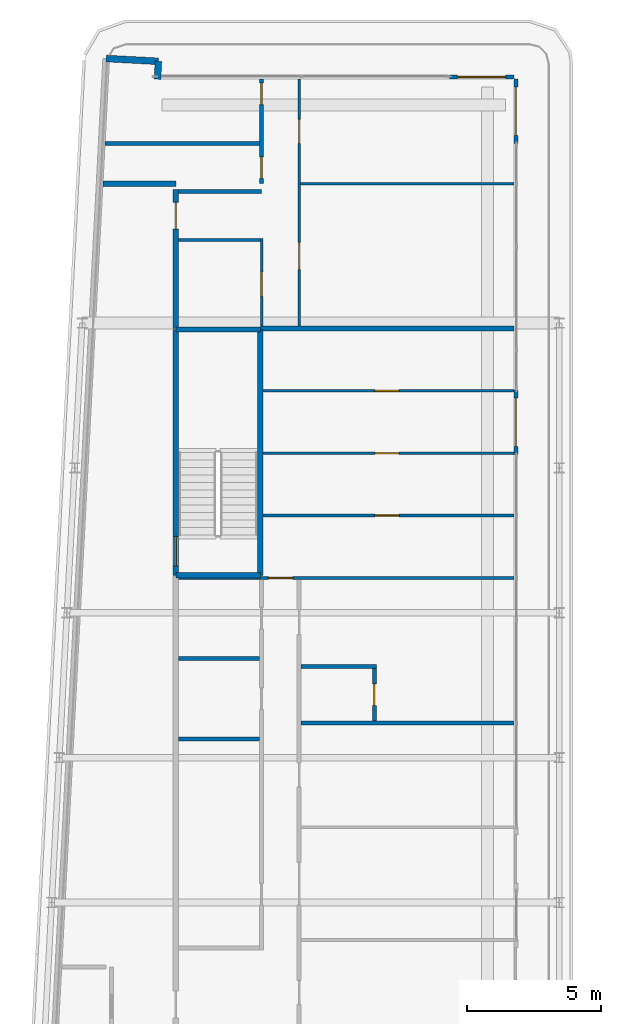
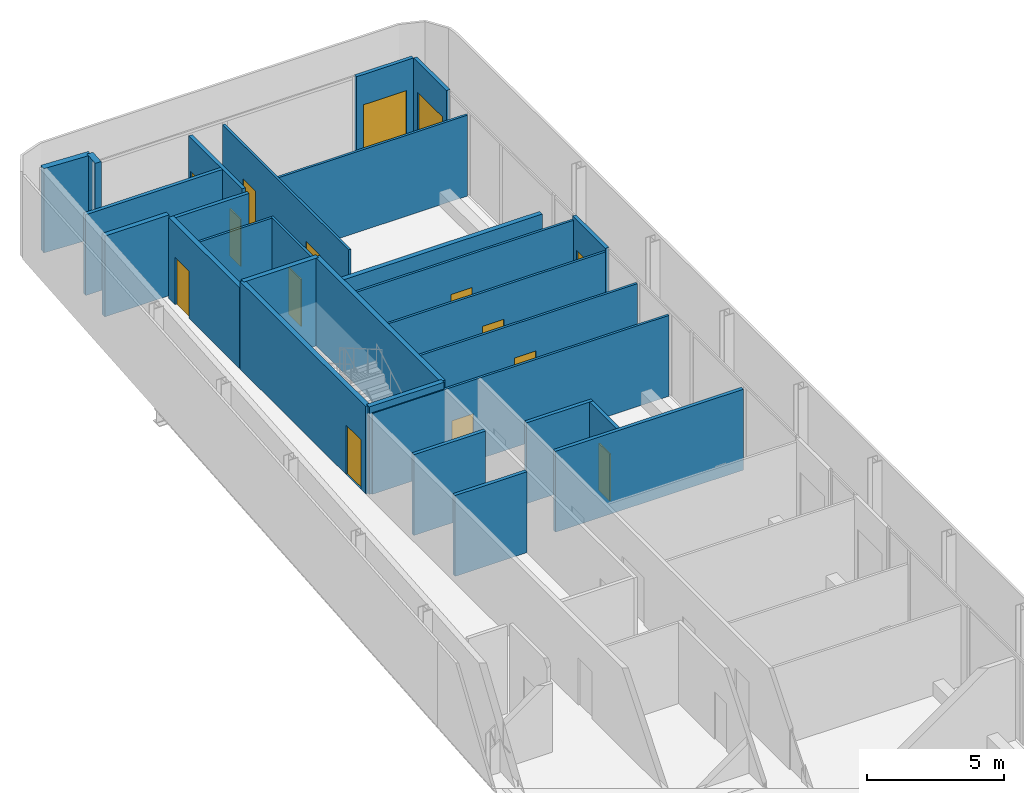
# One storey, part 14 of 21: 28 walls, 15 doors, 15 openings.
"""IFC4 building model written with IfcOpenShell, lengths in metres."""

from ifc_helpers import new_model, si_unit, direction, frame, frame_2d, origin, place, context, subcontext, project, spatial, rectangle, extrude, source, transform, mapped, material, layer, layer_set, type_object, element, fill, save


model = new_model("IFC4")

# Units and contexts
model_context = context("Model", 3, precision=1e-05, world=origin(), true_north=direction((0.0, 1.0)))
body_context = subcontext(model_context, "Body", "Model", "MODEL_VIEW")
ifc_project = project(units=[si_unit("LENGTHUNIT", "METRE"), si_unit("AREAUNIT", "SQUARE_METRE"), si_unit("VOLUMEUNIT", "CUBIC_METRE"), si_unit("PLANEANGLEUNIT", "RADIAN"), si_unit("MASSUNIT", "GRAM", prefix="KILO")], contexts=[model_context])

# Site, building, storey
site_placement = place(None, origin())
site = spatial("IfcSite", under=ifc_project, at=site_placement, CompositionType="ELEMENT")
building_placement = place(site_placement, origin())
building = spatial("IfcBuilding", under=site, at=building_placement, Name="Kheshtan School and Residences Tower", CompositionType="ELEMENT")
storey_placement = place(building_placement, frame((0.0, 0.0, 321.5)))
storey = spatial("IfcBuildingStorey", under=building, at=storey_placement, Name="L76", CompositionType="ELEMENT", Elevation=321.5)

# Wall
ifc_material_1 = material(Name="Gypsum board on steel studs with fire boards", Category="steel")
ifc_layer_1 = layer(ifc_material_1, 0.199951171875)
ifc_layer_set_1 = layer_set([ifc_layer_1], Name="Corridor wall 200")
wall_type_1 = type_object("IfcWallType", Name="Corridor wall 200", PredefinedType="PARTITIONING", material=ifc_layer_set_1)
wall_1_placement = place(storey_placement, frame((30.584716796875, 94.0, 0.0), z_axis=(0.0, 0.0, 1.0), x_axis=(1.0, 0.0, 0.0)))
element("IfcWall", 1, at=wall_1_placement, inside=storey, type_object=wall_type_1, Name="Partition L76-002", PredefinedType="PARTITIONING", context=body_context, shape_type="SweptSolid", body=[
    extrude(rectangle(XDim=2.71533203125, YDim=0.199951171875, at=frame_2d((1.357666015625, 0.0))), origin(), (0.0, 0.0, 1.0), 3.60009765625),
])

# Wall, opening, door
wall_2_placement = place(storey_placement, frame((33.300048828125, 88.60009765625, 0.0), z_axis=(0.0, 0.0, 1.0), x_axis=(0.0, 1.0, 0.0)))
wall_2 = element("IfcWall", 2, at=wall_2_placement, inside=storey, type_object=wall_type_1, Name="Partition L76-004", PredefinedType="PARTITIONING", context=body_context, shape_type="SweptSolid", body=[
    extrude(rectangle(XDim=5.1748046875, YDim=0.199951171875, at=frame_2d((2.58740234375, 0.0))), origin(), (0.0, 0.0, 1.0), 3.60009765625),
])
opening_1_placement = place(wall_2_placement, frame((3.699951171875, 0.0, 0.0)))
opening_1 = element("IfcOpeningElement", 3, at=opening_1_placement, cuts=wall_2, Name="Opening D75-028", PredefinedType="OPENING", context=body_context, shape_type="SweptSolid", body=[
    extrude(rectangle(XDim=1.0, YDim=2.10009765625, at=frame_2d((0.5, 1.050048828125))), frame((0.0, 0.10986328125, 0.0), z_axis=(0.0, -1.0, 0.0), x_axis=(1.0, 0.0, 0.0)), (0.0, 0.0, 1.0), 0.219970703125),
])
ifc_material_2 = material(Name="Steel-framed fire-resisting door leaf", Category="steel")
door_type_1 = type_object("IfcDoorType", Name="Fire door FD30S 1000 x 2100", OperationType="SINGLE_SWING_LEFT", PredefinedType="DOOR", material=ifc_material_2)
shared_shape_1 = source(origin(), body_context, "Body", "SweptSolid", [
    extrude(rectangle(XDim=1.0, YDim=2.10009765625, at=frame_2d((0.5, 1.050048828125))), frame((0.0, 0.02490234375, 0.0), z_axis=(0.0, -1.0, 0.0), x_axis=(1.0, 0.0, 0.0)), (0.0, 0.0, 1.0), 0.050048828125),
])
door_1_placement = place(opening_1_placement, origin())
door_1 = element("IfcDoor", 4, at=door_1_placement, inside=storey, type_object=door_type_1, Name="Door D75-028", OperationType="SINGLE_SWING_RIGHT", OverallHeight=2.10009765625, OverallWidth=1.0, PredefinedType="DOOR", context=body_context, shape_type="MappedRepresentation", body=[
    mapped(shared_shape_1, transform((0.0, 0.0, 0.0), x_axis=(1.0, 0.0, 0.0), y_axis=(0.0, 1.0, 0.0), z_axis=(0.0, 0.0, 1.0), scale=1.0)),
])
fill(opening_1, door_1)

# Walls
ifc_material_3 = material(Name="Concrete C40/50 with ceramic cladding and mineral wool insulation", Category="concrete")
ifc_layer_2 = layer(ifc_material_3, 0.25)
ifc_layer_set_2 = layer_set([ifc_layer_2], Name="External wall 250 ceramic clad")
wall_type_2 = type_object("IfcWallType", Name="External wall 250 ceramic clad", PredefinedType="SOLIDWALL", material=ifc_layer_set_2)
wall_3_placement = place(storey_placement, frame((30.705078125, 98.6640625, 0.0), z_axis=(0.0, 0.0, 1.0), x_axis=(0.998577785791, -0.053314216913, 0.0)))
element("IfcWall", 5, at=wall_3_placement, inside=storey, type_object=wall_type_2, Name="External wall L76 5", PredefinedType="SOLIDWALL", context=body_context, shape_type="SweptSolid", body=[
    extrude(rectangle(XDim=1.95068359375, YDim=0.25, at=frame_2d((0.975341796875, 0.0))), origin(), (0.0, 0.0, 1.0), 3.75),
])
wall_4_placement = place(storey_placement, frame((32.653076171875, 98.56005859375, 0.0), z_axis=(0.0, 0.0, 1.0), x_axis=(-0.054093451632, -0.998535877418, 0.0)))
element("IfcWall", 6, at=wall_4_placement, inside=storey, type_object=wall_type_2, Name="External wall L76 6", PredefinedType="SOLIDWALL", context=body_context, shape_type="SweptSolid", body=[
    extrude(rectangle(XDim=0.66796875, YDim=0.25, at=frame_2d((0.333984375, 0.0))), origin(), (0.0, 0.0, 1.0), 3.75),
])

# Wall, opening, door
ifc_material_4 = material(Name="Aluminium frame wall with insulated infill", Category="aluminium")
ifc_layer_3 = layer(ifc_material_4, 0.14990234375)
ifc_layer_set_3 = layer_set([ifc_layer_3], Name="Glazing frame wall 150")
wall_type_3 = type_object("IfcWallType", Name="Glazing frame wall 150", PredefinedType="SOLIDWALL", material=ifc_layer_set_3)
wall_5_placement = place(storey_placement, frame((43.5, 97.97509765625, 0.0), z_axis=(0.0, 0.0, 1.0), x_axis=(1.0, 0.0, 0.0)))
wall_5 = element("IfcWall", 7, at=wall_5_placement, inside=storey, type_object=wall_type_3, Name="Balcony door wall L76 7.1", PredefinedType="SOLIDWALL", context=body_context, shape_type="SweptSolid", body=[
    extrude(rectangle(XDim=2.39990234375, YDim=0.14990234375, at=frame_2d((1.199951171875, 0.0))), origin(), (0.0, 0.0, 1.0), 3.75),
])
opening_2_placement = place(wall_5_placement, frame((0.300048828125, 0.0, 0.0)))
opening_2 = element("IfcOpeningElement", 8, at=opening_2_placement, cuts=wall_5, Name="Opening BD", PredefinedType="OPENING", context=body_context, shape_type="SweptSolid", body=[
    extrude(rectangle(XDim=1.800048828125, YDim=2.39990234375, at=frame_2d((0.89990234375, 1.199951171875))), frame((0.0, 0.0849609375, 0.0), z_axis=(0.0, -1.0, 0.0), x_axis=(1.0, 0.0, 0.0)), (0.0, 0.0, 1.0), 0.169921875),
])
ifc_material_5 = material(Name="Clear low-e glass in thermally broken aluminium frame", Category="aluminium")
door_type_2 = type_object("IfcDoorType", Name="Balcony sliding door", OperationType="SLIDING_TO_LEFT", PredefinedType="DOOR", material=ifc_material_5)
shared_shape_2 = source(origin(), body_context, "Body", "SweptSolid", [
    extrude(rectangle(XDim=1.800048828125, YDim=2.39990234375, at=frame_2d((0.89990234375, 1.199951171875))), frame((0.0, 0.02490234375, 0.0), z_axis=(0.0, -1.0, 0.0), x_axis=(1.0, 0.0, 0.0)), (0.0, 0.0, 1.0), 0.050048828125),
])
door_2_placement = place(opening_2_placement, origin())
door_2 = element("IfcDoor", 9, at=door_2_placement, inside=storey, type_object=door_type_2, Name="Balcony door L76 7.1", OperationType="SLIDING_TO_LEFT", OverallHeight=2.39990234375, OverallWidth=1.800048828125, PredefinedType="DOOR", context=body_context, shape_type="MappedRepresentation", body=[
    mapped(shared_shape_2, transform((0.0, 0.0, 0.0), x_axis=(1.0, 0.0, 0.0), y_axis=(0.0, 1.0, 0.0), z_axis=(0.0, 0.0, 1.0), scale=1.0)),
])
fill(opening_2, door_2)

wall_6_placement = place(storey_placement, frame((45.97509765625, 97.89990234375, 0.0), z_axis=(0.0, 0.0, 1.0), x_axis=(0.0, -1.0, 0.0)))
wall_6 = element("IfcWall", 10, at=wall_6_placement, inside=storey, type_object=wall_type_3, Name="Balcony door wall L76 8.1", PredefinedType="SOLIDWALL", context=body_context, shape_type="SweptSolid", body=[
    extrude(rectangle(XDim=2.39990234375, YDim=0.14990234375, at=frame_2d((1.199951171875, 0.0))), origin(), (0.0, 0.0, 1.0), 3.75),
])
opening_3_placement = place(wall_6_placement, frame((0.300048828125, 0.0, 0.0)))
opening_3 = element("IfcOpeningElement", 11, at=opening_3_placement, cuts=wall_6, Name="Opening BD", PredefinedType="OPENING", context=body_context, shape_type="SweptSolid", body=[
    extrude(rectangle(XDim=1.800048828125, YDim=2.39990234375, at=frame_2d((0.89990234375, 1.199951171875))), frame((0.0, 0.0849609375, 0.0), z_axis=(0.0, -1.0, 0.0), x_axis=(1.0, 0.0, 0.0)), (0.0, 0.0, 1.0), 0.169921875),
])
door_3_placement = place(opening_3_placement, origin())
door_3 = element("IfcDoor", 12, at=door_3_placement, inside=storey, type_object=door_type_2, Name="Balcony door L76 8.1", OperationType="SLIDING_TO_LEFT", OverallHeight=2.39990234375, OverallWidth=1.800048828125, PredefinedType="DOOR", context=body_context, shape_type="MappedRepresentation", body=[
    mapped(shared_shape_2, transform((0.0, 0.0, 0.0), x_axis=(1.0, 0.0, 0.0), y_axis=(0.0, 1.0, 0.0), z_axis=(0.0, 0.0, 1.0), scale=1.0)),
])
fill(opening_3, door_3)

wall_7_placement = place(storey_placement, frame((45.97509765625, 86.305908203125, 0.0), z_axis=(0.0, 0.0, 1.0), x_axis=(0.0, -1.0, 0.0)))
wall_7 = element("IfcWall", 13, at=wall_7_placement, inside=storey, type_object=wall_type_3, Name="Balcony door wall L76 8.2", PredefinedType="SOLIDWALL", context=body_context, shape_type="SweptSolid", body=[
    extrude(rectangle(XDim=2.39990234375, YDim=0.14990234375, at=frame_2d((1.199951171875, 0.0))), origin(), (0.0, 0.0, 1.0), 3.75),
])
opening_4_placement = place(wall_7_placement, frame((0.300048828125, 0.0, 0.0)))
opening_4 = element("IfcOpeningElement", 14, at=opening_4_placement, cuts=wall_7, Name="Opening BD", PredefinedType="OPENING", context=body_context, shape_type="SweptSolid", body=[
    extrude(rectangle(XDim=1.800048828125, YDim=2.39990234375, at=frame_2d((0.89990234375, 1.199951171875))), frame((0.0, 0.0849609375, 0.0), z_axis=(0.0, -1.0, 0.0), x_axis=(1.0, 0.0, 0.0)), (0.0, 0.0, 1.0), 0.169921875),
])
door_4_placement = place(opening_4_placement, origin())
door_4 = element("IfcDoor", 15, at=door_4_placement, inside=storey, type_object=door_type_2, Name="Balcony door L76 8.2", OperationType="SLIDING_TO_LEFT", OverallHeight=2.39990234375, OverallWidth=1.800048828125, PredefinedType="DOOR", context=body_context, shape_type="MappedRepresentation", body=[
    mapped(shared_shape_2, transform((0.0, 0.0, 0.0), x_axis=(1.0, 0.0, 0.0), y_axis=(0.0, 1.0, 0.0), z_axis=(0.0, 0.0, 1.0), scale=1.0)),
])
fill(opening_4, door_4)

ifc_material_6 = material(Name="Gypsum board on steel studs", Category="steel")
ifc_layer_4 = layer(ifc_material_6, 0.10009765625)
ifc_layer_set_4 = layer_set([ifc_layer_4], Name="Gypsum partition 100")
wall_type_4 = type_object("IfcWallType", Name="Gypsum partition 100", PredefinedType="PARTITIONING", material=ifc_layer_set_4)
wall_8_placement = place(storey_placement, frame((33.39990234375, 79.300048828125, 0.0), z_axis=(0.0, 0.0, 1.0), x_axis=(1.0, 0.0, 0.0)))
wall_8 = element("IfcWall", 16, at=wall_8_placement, inside=storey, type_object=wall_type_4, Name="Partition L76-011", PredefinedType="PARTITIONING", context=body_context, shape_type="SweptSolid", body=[
    extrude(rectangle(XDim=12.5, YDim=0.10009765625, at=frame_2d((6.25, 0.0))), origin(), (0.0, 0.0, 1.0), 3.60009765625),
])
opening_5_placement = place(wall_8_placement, frame((3.35498046875, 0.0, 0.0)))
opening_5 = element("IfcOpeningElement", 17, at=opening_5_placement, cuts=wall_8, Name="Opening D75-022", PredefinedType="OPENING", context=body_context, shape_type="SweptSolid", body=[
    extrude(rectangle(XDim=0.89990234375, YDim=2.10009765625, at=frame_2d((0.449951171875, 1.050048828125))), frame((0.0, 0.06005859375, 0.0), z_axis=(0.0, -1.0, 0.0), x_axis=(1.0, 0.0, 0.0)), (0.0, 0.0, 1.0), 0.1201171875),
])
ifc_material_7 = material(Name="Veneered timber door leaf", Category="wood")
door_type_3 = type_object("IfcDoorType", Name="Door 900 x 2100", OperationType="SINGLE_SWING_LEFT", PredefinedType="DOOR", material=ifc_material_7)
shared_shape_3 = source(origin(), body_context, "Body", "SweptSolid", [
    extrude(rectangle(XDim=0.89990234375, YDim=2.10009765625, at=frame_2d((0.449951171875, 1.050048828125))), frame((0.0, 0.02490234375, 0.0), z_axis=(0.0, -1.0, 0.0), x_axis=(1.0, 0.0, 0.0)), (0.0, 0.0, 1.0), 0.050048828125),
])
door_5_placement = place(opening_5_placement, origin())
door_5 = element("IfcDoor", 18, at=door_5_placement, inside=storey, type_object=door_type_3, Name="Door D75-022", OperationType="SINGLE_SWING_LEFT", OverallHeight=2.10009765625, OverallWidth=0.89990234375, PredefinedType="DOOR", context=body_context, shape_type="MappedRepresentation", body=[
    mapped(shared_shape_3, transform((0.0, 0.0, 0.0), x_axis=(1.0, 0.0, 0.0), y_axis=(0.0, 1.0, 0.0), z_axis=(0.0, 0.0, 1.0), scale=1.0)),
])
fill(opening_5, door_5)

# Wall
wall_9_placement = place(storey_placement, frame((33.39990234375, 91.89990234375, 0.0), z_axis=(0.0, 0.0, 1.0), x_axis=(1.0, 0.0, 0.0)))
element("IfcWall", 19, at=wall_9_placement, inside=storey, type_object=wall_type_4, Name="Partition L76-012", PredefinedType="PARTITIONING", context=body_context, shape_type="SweptSolid", body=[
    extrude(rectangle(XDim=3.050048828125, YDim=0.10009765625, at=frame_2d((1.52490234375, 0.0))), origin(), (0.0, 0.0, 1.0), 3.60009765625),
])

# Wall, opening, door
wall_10_placement = place(storey_placement, frame((36.5, 88.699951171875, 0.0), z_axis=(0.0, 0.0, 1.0), x_axis=(0.0, 1.0, 0.0)))
wall_10 = element("IfcWall", 20, at=wall_10_placement, inside=storey, type_object=wall_type_4, Name="Partition L76-020", PredefinedType="PARTITIONING", context=body_context, shape_type="SweptSolid", body=[
    extrude(rectangle(XDim=3.25, YDim=0.10009765625, at=frame_2d((1.625, 0.0))), origin(), (0.0, 0.0, 1.0), 3.60009765625),
])
opening_6_placement = place(wall_10_placement, frame((1.10009765625, 0.0, 0.0)))
opening_6 = element("IfcOpeningElement", 21, at=opening_6_placement, cuts=wall_10, Name="Opening D75-029", PredefinedType="OPENING", context=body_context, shape_type="SweptSolid", body=[
    extrude(rectangle(XDim=0.89990234375, YDim=2.10009765625, at=frame_2d((0.449951171875, 1.050048828125))), frame((0.0, 0.06005859375, 0.0), z_axis=(0.0, -1.0, 0.0), x_axis=(1.0, 0.0, 0.0)), (0.0, 0.0, 1.0), 0.1201171875),
])
door_6_placement = place(opening_6_placement, origin())
door_6 = element("IfcDoor", 22, at=door_6_placement, inside=storey, type_object=door_type_3, Name="Door D75-029", OperationType="SINGLE_SWING_LEFT", OverallHeight=2.10009765625, OverallWidth=0.89990234375, PredefinedType="DOOR", context=body_context, shape_type="MappedRepresentation", body=[
    mapped(shared_shape_3, transform((0.0, 0.0, 0.0), x_axis=(1.0, 0.0, 0.0), y_axis=(0.0, 1.0, 0.0), z_axis=(0.0, 0.0, 1.0), scale=1.0)),
])
fill(opening_6, door_6)

wall_11_placement = place(storey_placement, frame((36.549072265625, 81.625, 0.0), z_axis=(0.0, 0.0, 1.0), x_axis=(1.0, 0.0, 0.0)))
wall_11 = element("IfcWall", 23, at=wall_11_placement, inside=storey, type_object=wall_type_4, Name="Partition L76-022", PredefinedType="PARTITIONING", context=body_context, shape_type="SweptSolid", body=[
    extrude(rectangle(XDim=9.350830078125, YDim=0.10009765625, at=frame_2d((4.67529296875, 0.0))), origin(), (0.0, 0.0, 1.0), 3.60009765625),
])
opening_7_placement = place(wall_11_placement, frame((4.176025390625, 0.0, 0.0)))
opening_7 = element("IfcOpeningElement", 24, at=opening_7_placement, cuts=wall_11, Name="Opening D75-023", PredefinedType="OPENING", context=body_context, shape_type="SweptSolid", body=[
    extrude(rectangle(XDim=0.89990234375, YDim=2.10009765625, at=frame_2d((0.449951171875, 1.050048828125))), frame((0.0, 0.06005859375, 0.0), z_axis=(0.0, -1.0, 0.0), x_axis=(1.0, 0.0, 0.0)), (0.0, 0.0, 1.0), 0.1201171875),
])
door_7_placement = place(opening_7_placement, origin())
door_7 = element("IfcDoor", 25, at=door_7_placement, inside=storey, type_object=door_type_3, Name="Door D75-023", OperationType="SINGLE_SWING_RIGHT", OverallHeight=2.10009765625, OverallWidth=0.89990234375, PredefinedType="DOOR", context=body_context, shape_type="MappedRepresentation", body=[
    mapped(shared_shape_3, transform((0.0, 0.0, 0.0), x_axis=(1.0, 0.0, 0.0), y_axis=(0.0, 1.0, 0.0), z_axis=(0.0, 0.0, 1.0), scale=1.0)),
])
fill(opening_7, door_7)

wall_12_placement = place(storey_placement, frame((36.549072265625, 83.949951171875, 0.0), z_axis=(0.0, 0.0, 1.0), x_axis=(1.0, 0.0, 0.0)))
wall_12 = element("IfcWall", 26, at=wall_12_placement, inside=storey, type_object=wall_type_4, Name="Partition L76-023", PredefinedType="PARTITIONING", context=body_context, shape_type="SweptSolid", body=[
    extrude(rectangle(XDim=9.350830078125, YDim=0.10009765625, at=frame_2d((4.67529296875, 0.0))), origin(), (0.0, 0.0, 1.0), 3.60009765625),
])
opening_8_placement = place(wall_12_placement, frame((4.176025390625, 0.0, 0.0)))
opening_8 = element("IfcOpeningElement", 27, at=opening_8_placement, cuts=wall_12, Name="Opening D75-024", PredefinedType="OPENING", context=body_context, shape_type="SweptSolid", body=[
    extrude(rectangle(XDim=0.89990234375, YDim=2.10009765625, at=frame_2d((0.449951171875, 1.050048828125))), frame((0.0, 0.06005859375, 0.0), z_axis=(0.0, -1.0, 0.0), x_axis=(1.0, 0.0, 0.0)), (0.0, 0.0, 1.0), 0.1201171875),
])
door_8_placement = place(opening_8_placement, origin())
door_8 = element("IfcDoor", 28, at=door_8_placement, inside=storey, type_object=door_type_3, Name="Door D75-024", OperationType="SINGLE_SWING_RIGHT", OverallHeight=2.10009765625, OverallWidth=0.89990234375, PredefinedType="DOOR", context=body_context, shape_type="MappedRepresentation", body=[
    mapped(shared_shape_3, transform((0.0, 0.0, 0.0), x_axis=(1.0, 0.0, 0.0), y_axis=(0.0, 1.0, 0.0), z_axis=(0.0, 0.0, 1.0), scale=1.0)),
])
fill(opening_8, door_8)

wall_13_placement = place(storey_placement, frame((36.549072265625, 86.27490234375, 0.0), z_axis=(0.0, 0.0, 1.0), x_axis=(1.0, 0.0, 0.0)))
wall_13 = element("IfcWall", 29, at=wall_13_placement, inside=storey, type_object=wall_type_4, Name="Partition L76-024", PredefinedType="PARTITIONING", context=body_context, shape_type="SweptSolid", body=[
    extrude(rectangle(XDim=9.350830078125, YDim=0.10009765625, at=frame_2d((4.67529296875, 0.0))), origin(), (0.0, 0.0, 1.0), 3.60009765625),
])
opening_9_placement = place(wall_13_placement, frame((4.176025390625, 0.0, 0.0)))
opening_9 = element("IfcOpeningElement", 30, at=opening_9_placement, cuts=wall_13, Name="Opening D75-025", PredefinedType="OPENING", context=body_context, shape_type="SweptSolid", body=[
    extrude(rectangle(XDim=0.89990234375, YDim=2.10009765625, at=frame_2d((0.449951171875, 1.050048828125))), frame((0.0, 0.06005859375, 0.0), z_axis=(0.0, -1.0, 0.0), x_axis=(1.0, 0.0, 0.0)), (0.0, 0.0, 1.0), 0.1201171875),
])
door_9_placement = place(opening_9_placement, origin())
door_9 = element("IfcDoor", 31, at=door_9_placement, inside=storey, type_object=door_type_3, Name="Door D75-025", OperationType="SINGLE_SWING_RIGHT", OverallHeight=2.10009765625, OverallWidth=0.89990234375, PredefinedType="DOOR", context=body_context, shape_type="MappedRepresentation", body=[
    mapped(shared_shape_3, transform((0.0, 0.0, 0.0), x_axis=(1.0, 0.0, 0.0), y_axis=(0.0, 1.0, 0.0), z_axis=(0.0, 0.0, 1.0), scale=1.0)),
])
fill(opening_9, door_9)

# Wall, openings, doors
wall_14_placement = place(storey_placement, frame((37.89990234375, 88.699951171875, 0.0), z_axis=(0.0, 0.0, 1.0), x_axis=(0.0, 1.0, 0.0)))
wall_14 = element("IfcWall", 32, at=wall_14_placement, inside=storey, type_object=wall_type_4, Name="Partition L76-026", PredefinedType="PARTITIONING", context=body_context, shape_type="SweptSolid", body=[
    extrude(rectangle(XDim=9.199951171875, YDim=0.10009765625, at=frame_2d((4.60009765625, 0.0))), origin(), (0.0, 0.0, 1.0), 3.60009765625),
])
opening_10_placement = place(wall_14_placement, frame((6.800048828125, 0.0, 0.0)))
opening_10 = element("IfcOpeningElement", 33, at=opening_10_placement, cuts=wall_14, Name="Opening D75-027", PredefinedType="OPENING", context=body_context, shape_type="SweptSolid", body=[
    extrude(rectangle(XDim=0.89990234375, YDim=2.10009765625, at=frame_2d((0.449951171875, 1.050048828125))), frame((0.0, 0.06005859375, 0.0), z_axis=(0.0, -1.0, 0.0), x_axis=(1.0, 0.0, 0.0)), (0.0, 0.0, 1.0), 0.1201171875),
])
opening_11_placement = place(wall_14_placement, frame((2.10009765625, 0.0, 0.0)))
opening_11 = element("IfcOpeningElement", 34, at=opening_11_placement, cuts=wall_14, Name="Opening D75-030", PredefinedType="OPENING", context=body_context, shape_type="SweptSolid", body=[
    extrude(rectangle(XDim=1.0, YDim=2.10009765625, at=frame_2d((0.5, 1.050048828125))), frame((0.0, 0.06005859375, 0.0), z_axis=(0.0, -1.0, 0.0), x_axis=(1.0, 0.0, 0.0)), (0.0, 0.0, 1.0), 0.1201171875),
])
door_type_4 = type_object("IfcDoorType", Name="Door 1000 x 2100", OperationType="SINGLE_SWING_LEFT", PredefinedType="DOOR", material=ifc_material_7)
shared_shape_4 = source(origin(), body_context, "Body", "SweptSolid", [
    extrude(rectangle(XDim=1.0, YDim=2.10009765625, at=frame_2d((0.5, 1.050048828125))), frame((0.0, 0.02490234375, 0.0), z_axis=(0.0, -1.0, 0.0), x_axis=(1.0, 0.0, 0.0)), (0.0, 0.0, 1.0), 0.050048828125),
])
door_10_placement = place(opening_11_placement, origin())
door_10 = element("IfcDoor", 35, at=door_10_placement, inside=storey, type_object=door_type_4, Name="Door D75-030", OperationType="SINGLE_SWING_LEFT", OverallHeight=2.10009765625, OverallWidth=1.0, PredefinedType="DOOR", context=body_context, shape_type="MappedRepresentation", body=[
    mapped(shared_shape_4, transform((0.0, 0.0, 0.0), x_axis=(1.0, 0.0, 0.0), y_axis=(0.0, 1.0, 0.0), z_axis=(0.0, 0.0, 1.0), scale=1.0)),
])
fill(opening_11, door_10)
door_11_placement = place(opening_10_placement, origin())
door_11 = element("IfcDoor", 36, at=door_11_placement, inside=storey, type_object=door_type_3, Name="Door D75-027", OperationType="SINGLE_SWING_RIGHT", OverallHeight=2.10009765625, OverallWidth=0.89990234375, PredefinedType="DOOR", context=body_context, shape_type="MappedRepresentation", body=[
    mapped(shared_shape_3, transform((0.0, 0.0, 0.0), x_axis=(1.0, 0.0, 0.0), y_axis=(0.0, 1.0, 0.0), z_axis=(0.0, 0.0, 1.0), scale=1.0)),
])
fill(opening_10, door_11)

# Walls
wall_15_placement = place(storey_placement, frame((37.949951171875, 94.0, 0.0), z_axis=(0.0, 0.0, 1.0), x_axis=(1.0, 0.0, 0.0)))
element("IfcWall", 37, at=wall_15_placement, inside=storey, type_object=wall_type_4, Name="Partition L76-027", PredefinedType="PARTITIONING", context=body_context, shape_type="SweptSolid", body=[
    extrude(rectangle(XDim=7.949951171875, YDim=0.10009765625, at=frame_2d((3.97509765625, 0.0))), origin(), (0.0, 0.0, 1.0), 3.60009765625),
])
ifc_material_8 = material(Name="Concrete C40/50", Category="concrete")
ifc_layer_5 = layer(ifc_material_8, 0.199951171875)
ifc_layer_set_5 = layer_set([ifc_layer_5], Name="Stair enclosure wall 200 Concrete C40/50")
wall_type_5 = type_object("IfcWallType", Name="Stair enclosure wall 200 Concrete C40/50", PredefinedType="SHEAR", material=ifc_layer_set_5)
for number, where, z_axis, x_axis, name in (
    (38, (33.300048828125, 79.39990234375, 0.0), (0.0, 0.0, 1.0), (1.0, 0.0, 0.0), "Stair enclosure wall ST3"),
    (39, (33.300048828125, 88.56005859375, 0.0), (0.0, 0.0, 1.0), (1.0, 0.0, 0.0), "Stair enclosure wall ST3"),
):
    element("IfcWall", number, at=place(storey_placement, frame(where, z_axis=z_axis, x_axis=x_axis)), inside=storey, type_object=wall_type_5, Name=name, PredefinedType="SHEAR", context=body_context, shape_type="SweptSolid", body=[
        extrude(rectangle(XDim=3.14990234375, YDim=0.199951171875, at=frame_2d((1.574951171875, 0.0))), origin(), (0.0, 0.0, 1.0), 3.89990234375),
    ])

# Wall, opening, door
wall_16_placement = place(storey_placement, frame((33.300048828125, 79.39990234375, 0.0), z_axis=(0.0, 0.0, 1.0), x_axis=(0.0, 1.0, 0.0)))
wall_16 = element("IfcWall", 40, at=wall_16_placement, inside=storey, type_object=wall_type_5, Name="Stair enclosure wall ST3", PredefinedType="SHEAR", context=body_context, shape_type="SweptSolid", body=[
    extrude(rectangle(XDim=9.16015625, YDim=0.199951171875, at=frame_2d((4.580078125, 0.0))), origin(), (0.0, 0.0, 1.0), 3.89990234375),
])
opening_12_placement = place(wall_16_placement, frame((0.35009765625, 0.0, 0.0)))
opening_12 = element("IfcOpeningElement", 41, at=opening_12_placement, cuts=wall_16, Name="Opening ST3D", PredefinedType="OPENING", context=body_context, shape_type="SweptSolid", body=[
    extrude(rectangle(XDim=1.10009765625, YDim=2.199951171875, at=frame_2d((0.550048828125, 1.10009765625))), frame((0.0, 0.10986328125, 0.0), z_axis=(0.0, -1.0, 0.0), x_axis=(1.0, 0.0, 0.0)), (0.0, 0.0, 1.0), 0.219970703125),
])
ifc_material_9 = material(Name="Steel door leaf, galvanised", Category="steel")
door_type_5 = type_object("IfcDoorType", Name="Stair door 1100 steel 90 min", OperationType="SINGLE_SWING_LEFT", PredefinedType="DOOR", material=ifc_material_9)
shared_shape_5 = source(origin(), body_context, "Body", "SweptSolid", [
    extrude(rectangle(XDim=1.10009765625, YDim=2.199951171875, at=frame_2d((0.550048828125, 1.10009765625))), frame((0.0, 0.02490234375, 0.0), z_axis=(0.0, -1.0, 0.0), x_axis=(1.0, 0.0, 0.0)), (0.0, 0.0, 1.0), 0.050048828125),
])
door_12_placement = place(opening_12_placement, origin())
door_12 = element("IfcDoor", 42, at=door_12_placement, inside=storey, type_object=door_type_5, Name="Stair ST3 door", OperationType="SINGLE_SWING_RIGHT", OverallHeight=2.199951171875, OverallWidth=1.10009765625, PredefinedType="DOOR", context=body_context, shape_type="MappedRepresentation", body=[
    mapped(shared_shape_5, transform((0.0, 0.0, 0.0), x_axis=(1.0, 0.0, 0.0), y_axis=(0.0, 1.0, 0.0), z_axis=(0.0, 0.0, 1.0), scale=1.0)),
])
fill(opening_12, door_12)

# Walls
wall_17_placement = place(storey_placement, frame((36.449951171875, 79.39990234375, 0.0), z_axis=(0.0, 0.0, 1.0), x_axis=(0.0, 1.0, 0.0)))
element("IfcWall", 43, at=wall_17_placement, inside=storey, type_object=wall_type_5, Name="Stair enclosure wall ST3", PredefinedType="SHEAR", context=body_context, shape_type="SweptSolid", body=[
    extrude(rectangle(XDim=9.16015625, YDim=0.199951171875, at=frame_2d((4.580078125, 0.0))), origin(), (0.0, 0.0, 1.0), 3.89990234375),
])
ifc_material_10 = material(Name="Twin gypsum board on steel studs with mineral wool", Category="steel")
ifc_layer_6 = layer(ifc_material_10, 0.199951171875)
ifc_layer_set_6 = layer_set([ifc_layer_6], Name="Unit demising wall 200")
wall_type_6 = type_object("IfcWallType", Name="Unit demising wall 200", PredefinedType="PARTITIONING", material=ifc_layer_set_6)
wall_18_placement = place(storey_placement, frame((36.449951171875, 88.60009765625, 0.0), z_axis=(0.0, 0.0, 1.0), x_axis=(1.0, 0.0, 0.0)))
element("IfcWall", 44, at=wall_18_placement, inside=storey, type_object=wall_type_6, Name="Partition L76-016", PredefinedType="PARTITIONING", context=body_context, shape_type="SweptSolid", body=[
    extrude(rectangle(XDim=9.449951171875, YDim=0.199951171875, at=frame_2d((4.72509765625, 0.0))), origin(), (0.0, 0.0, 1.0), 2.5),
])
ifc_material_11 = material(Name="Moisture-resistant gypsum board on steel studs", Category="steel")
ifc_layer_7 = layer(ifc_material_11, 0.14990234375)
ifc_layer_set_7 = layer_set([ifc_layer_7], Name="Wet-room partition 150")
wall_type_7 = type_object("IfcWallType", Name="Wet-room partition 150", PredefinedType="PARTITIONING", material=ifc_layer_set_7)
wall_19_placement = place(storey_placement, frame((30.6640625, 95.5, 0.0), z_axis=(0.0, 0.0, 1.0), x_axis=(1.0, 0.0, 0.0)))
element("IfcWall", 45, at=wall_19_placement, inside=storey, type_object=wall_type_7, Name="Partition L76-001", PredefinedType="PARTITIONING", context=body_context, shape_type="SweptSolid", body=[
    extrude(rectangle(XDim=5.760986328125, YDim=0.14990234375, at=frame_2d((2.88037109375, 0.0))), origin(), (0.0, 0.0, 1.0), 3.60009765625),
])
for number, where, z_axis, x_axis, name in (
    (46, (33.39990234375, 73.300048828125, 0.0), (0.0, 0.0, 1.0), (1.0, 0.0, 0.0), "Partition L76-009"),
    (47, (33.39990234375, 76.300048828125, 0.0), (0.0, 0.0, 1.0), (1.0, 0.0, 0.0), "Partition L76-010"),
):
    element("IfcWall", number, at=place(storey_placement, frame(where, z_axis=z_axis, x_axis=x_axis)), inside=storey, type_object=wall_type_7, Name=name, PredefinedType="PARTITIONING", context=body_context, shape_type="SweptSolid", body=[
        extrude(rectangle(XDim=3.025146484375, YDim=0.14990234375, at=frame_2d((1.5126953125, 0.0))), origin(), (0.0, 0.0, 1.0), 3.60009765625),
    ])
wall_20_placement = place(storey_placement, frame((33.39990234375, 93.699951171875, 0.0), z_axis=(0.0, 0.0, 1.0), x_axis=(1.0, 0.0, 0.0)))
element("IfcWall", 48, at=wall_20_placement, inside=storey, type_object=wall_type_7, Name="Partition L76-013", PredefinedType="PARTITIONING", context=body_context, shape_type="SweptSolid", body=[
    extrude(rectangle(XDim=3.10009765625, YDim=0.14990234375, at=frame_2d((1.550048828125, 0.0))), origin(), (0.0, 0.0, 1.0), 3.60009765625),
])

# Wall, openings, doors
wall_21_placement = place(storey_placement, frame((36.5, 94.0, 0.0), z_axis=(0.0, 0.0, 1.0), x_axis=(0.0, 1.0, 0.0)))
wall_21 = element("IfcWall", 49, at=wall_21_placement, inside=storey, type_object=wall_type_7, Name="Partition L76-021", PredefinedType="PARTITIONING", context=body_context, shape_type="SweptSolid", body=[
    extrude(rectangle(XDim=3.89990234375, YDim=0.14990234375, at=frame_2d((1.949951171875, 0.0))), origin(), (0.0, 0.0, 1.0), 3.60009765625),
])
opening_13_placement = place(wall_21_placement, frame((2.949951171875, 0.0, 0.0)))
opening_13 = element("IfcOpeningElement", 50, at=opening_13_placement, cuts=wall_21, Name="Opening D75-026", PredefinedType="OPENING", context=body_context, shape_type="SweptSolid", body=[
    extrude(rectangle(XDim=0.800048828125, YDim=2.10009765625, at=frame_2d((0.39990234375, 1.050048828125))), frame((0.0, 0.0849609375, 0.0), z_axis=(0.0, -1.0, 0.0), x_axis=(1.0, 0.0, 0.0)), (0.0, 0.0, 1.0), 0.169921875),
])
opening_14_placement = place(wall_21_placement, frame((0.199951171875, 0.0, 0.0)))
opening_14 = element("IfcOpeningElement", 51, at=opening_14_placement, cuts=wall_21, Name="Opening D75-031", PredefinedType="OPENING", context=body_context, shape_type="SweptSolid", body=[
    extrude(rectangle(XDim=0.800048828125, YDim=2.10009765625, at=frame_2d((0.39990234375, 1.050048828125))), frame((0.0, 0.0849609375, 0.0), z_axis=(0.0, -1.0, 0.0), x_axis=(1.0, 0.0, 0.0)), (0.0, 0.0, 1.0), 0.169921875),
])
door_type_6 = type_object("IfcDoorType", Name="Door 800 x 2100", OperationType="SINGLE_SWING_LEFT", PredefinedType="DOOR", material=ifc_material_7)
shared_shape_6 = source(origin(), body_context, "Body", "SweptSolid", [
    extrude(rectangle(XDim=0.800048828125, YDim=2.10009765625, at=frame_2d((0.39990234375, 1.050048828125))), frame((0.0, 0.02490234375, 0.0), z_axis=(0.0, -1.0, 0.0), x_axis=(1.0, 0.0, 0.0)), (0.0, 0.0, 1.0), 0.050048828125),
])
door_13_placement = place(opening_13_placement, origin())
door_13 = element("IfcDoor", 52, at=door_13_placement, inside=storey, type_object=door_type_6, Name="Door D75-026", OperationType="SINGLE_SWING_LEFT", OverallHeight=2.10009765625, OverallWidth=0.800048828125, PredefinedType="DOOR", context=body_context, shape_type="MappedRepresentation", body=[
    mapped(shared_shape_6, transform((0.0, 0.0, 0.0), x_axis=(1.0, 0.0, 0.0), y_axis=(0.0, 1.0, 0.0), z_axis=(0.0, 0.0, 1.0), scale=1.0)),
])
fill(opening_13, door_13)
door_14_placement = place(opening_14_placement, origin())
door_14 = element("IfcDoor", 53, at=door_14_placement, inside=storey, type_object=door_type_6, Name="Door D75-031", OperationType="SINGLE_SWING_RIGHT", OverallHeight=2.10009765625, OverallWidth=0.800048828125, PredefinedType="DOOR", context=body_context, shape_type="MappedRepresentation", body=[
    mapped(shared_shape_6, transform((0.0, 0.0, 0.0), x_axis=(1.0, 0.0, 0.0), y_axis=(0.0, 1.0, 0.0), z_axis=(0.0, 0.0, 1.0), scale=1.0)),
])
fill(opening_14, door_14)

# Walls
wall_22_placement = place(storey_placement, frame((37.97509765625, 73.89990234375, 0.0), z_axis=(0.0, 0.0, 1.0), x_axis=(1.0, 0.0, 0.0)))
element("IfcWall", 54, at=wall_22_placement, inside=storey, type_object=wall_type_7, Name="Partition L76-032", PredefinedType="PARTITIONING", context=body_context, shape_type="SweptSolid", body=[
    extrude(rectangle(XDim=7.9248046875, YDim=0.14990234375, at=frame_2d((3.96240234375, 0.0))), origin(), (0.0, 0.0, 1.0), 3.60009765625),
])
wall_23_placement = place(storey_placement, frame((37.97509765625, 76.0, 0.0), z_axis=(0.0, 0.0, 1.0), x_axis=(1.0, 0.0, 0.0)))
element("IfcWall", 55, at=wall_23_placement, inside=storey, type_object=wall_type_7, Name="Partition L76-033", PredefinedType="PARTITIONING", context=body_context, shape_type="SweptSolid", body=[
    extrude(rectangle(XDim=2.7998046875, YDim=0.14990234375, at=frame_2d((1.39990234375, 0.0))), origin(), (0.0, 0.0, 1.0), 3.60009765625),
])

# Wall, opening, door
wall_24_placement = place(storey_placement, frame((40.699951171875, 73.97509765625, 0.0), z_axis=(0.0, 0.0, 1.0), x_axis=(0.0, 1.0, 0.0)))
wall_24 = element("IfcWall", 56, at=wall_24_placement, inside=storey, type_object=wall_type_7, Name="Partition L76-035", PredefinedType="PARTITIONING", context=body_context, shape_type="SweptSolid", body=[
    extrude(rectangle(XDim=1.949951171875, YDim=0.14990234375, at=frame_2d((0.97509765625, 0.0))), origin(), (0.0, 0.0, 1.0), 3.60009765625),
])
opening_15_placement = place(wall_24_placement, frame((0.574951171875, 0.0, 0.0)))
opening_15 = element("IfcOpeningElement", 57, at=opening_15_placement, cuts=wall_24, Name="Opening D75-015", PredefinedType="OPENING", context=body_context, shape_type="SweptSolid", body=[
    extrude(rectangle(XDim=0.800048828125, YDim=2.10009765625, at=frame_2d((0.39990234375, 1.050048828125))), frame((0.0, 0.0849609375, 0.0), z_axis=(0.0, -1.0, 0.0), x_axis=(1.0, 0.0, 0.0)), (0.0, 0.0, 1.0), 0.169921875),
])
door_15_placement = place(opening_15_placement, origin())
door_15 = element("IfcDoor", 58, at=door_15_placement, inside=storey, type_object=door_type_6, Name="Door D75-015", OperationType="SINGLE_SWING_RIGHT", OverallHeight=2.10009765625, OverallWidth=0.800048828125, PredefinedType="DOOR", context=body_context, shape_type="MappedRepresentation", body=[
    mapped(shared_shape_6, transform((0.0, 0.0, 0.0), x_axis=(1.0, 0.0, 0.0), y_axis=(0.0, 1.0, 0.0), z_axis=(0.0, 0.0, 1.0), scale=1.0)),
])
fill(opening_15, door_15)

save(model, "model.ifc")
